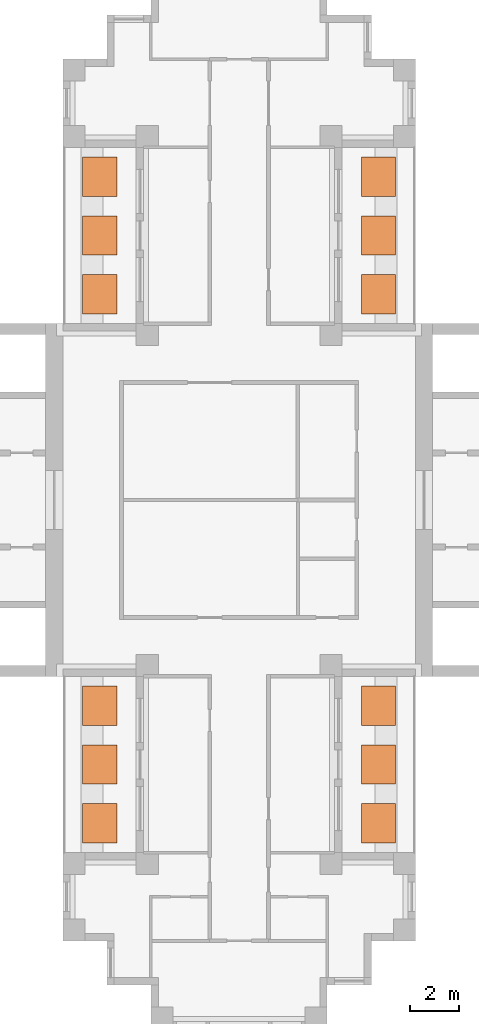
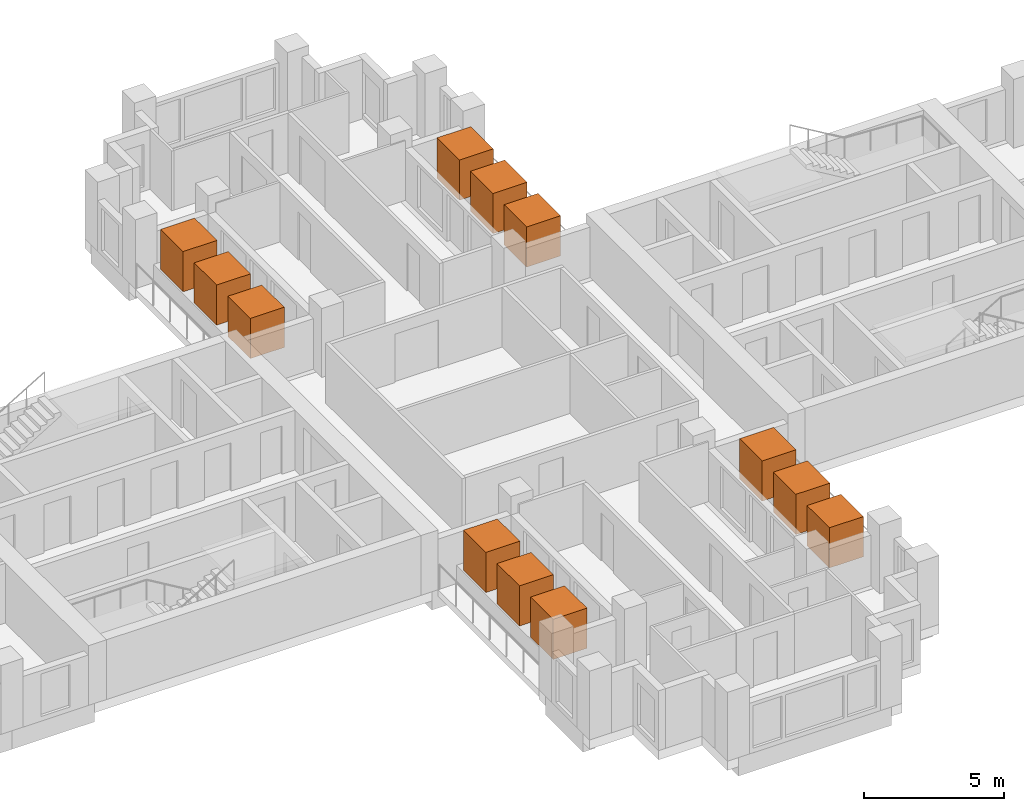
# One storey, part 12 of 12: 12 geographic elements.
"""IFC4 building model written with IfcOpenShell, lengths in metres."""

import ifcopenshell
import ifcopenshell.guid

model = None  # the IFC model being written
_history = None  # IfcOwnerHistory: only IFC2X3 demands one
_inside = {}  # id of a spatial element -> (the spatial element, [elements in it])
_under = {}  # id of a project, library or spatial element -> (it, [spatial elements below it])
_declared = {}  # id of a project -> (the project, [libraries it declares])
_typed = {}  # id of a type object -> (the type object, [elements of that type])
_made_of = {}  # id of a material, layer set ... -> (it, [elements and type objects made of it])


def new_model(schema):
    """Start an empty IFC model of exactly this schema.

    Asked for "IFC4X3", IfcOpenShell would pick the latest addendum, in which some entities
    have other attributes; the version numbers below select the first issue.
    IFC2X3 requires an IfcOwnerHistory on every rooted entity: one is made here for all.
    """
    global model, _history
    if schema == "IFC4X3":
        model = ifcopenshell.file(schema_version=(4, 3, 0, 0))
    else:
        model = ifcopenshell.file(schema=schema)
    _inside.clear()
    _under.clear()
    _declared.clear()
    _typed.clear()
    _made_of.clear()
    _history = None
    if model.schema == "IFC2X3":
        org = make("IfcOrganization", Name="unknown")
        user = make(
            "IfcPersonAndOrganization",
            ThePerson=make("IfcPerson", FamilyName="unknown"),
            TheOrganization=org,
        )
        app = make(
            "IfcApplication",
            ApplicationDeveloper=org,
            Version="unknown",
            ApplicationFullName="unknown",
            ApplicationIdentifier="unknown",
        )
        _history = make(
            "IfcOwnerHistory",
            OwningUser=user,
            OwningApplication=app,
            ChangeAction="ADDED",
            CreationDate=0,
        )
    return model


def make(cls, **values):
    """One entity of the class cls with the attributes given. An attribute that is None is left unset."""
    return model.create_entity(
        cls, **{name: value for name, value in values.items() if value is not None}
    )


def rooted(cls, **values):
    """An entity with a GlobalId (a new one), such as an element, a storey or a relation."""
    return make(cls, GlobalId=ifcopenshell.guid.new(), OwnerHistory=_history, **values)


def si_unit(unit_type, name, prefix=None):
    """IfcSIUnit, for example si_unit("LENGTHUNIT", "METRE", prefix="MILLI")."""
    return make("IfcSIUnit", UnitType=unit_type, Prefix=prefix, Name=name)


def assignment(units):
    """IfcUnitAssignment: the units of a project."""
    return None if units is None else make("IfcUnitAssignment", Units=units)


def point(xyz):
    """IfcCartesianPoint."""
    return None if xyz is None else make("IfcCartesianPoint", Coordinates=xyz)


def direction(xyz):
    """IfcDirection."""
    return None if xyz is None else make("IfcDirection", DirectionRatios=xyz)


def frame(location, z_axis=None, x_axis=None):
    """IfcAxis2Placement3D, a coordinate frame: its origin and axes. An axis left out is left unset."""
    return make(
        "IfcAxis2Placement3D",
        Location=point(location),
        Axis=direction(z_axis),
        RefDirection=direction(x_axis),
    )


def frame_2d(location, x_axis=None):
    """IfcAxis2Placement2D, a coordinate frame in the plane: its origin and x axis."""
    return make(
        "IfcAxis2Placement2D", Location=point(location), RefDirection=direction(x_axis)
    )


def origin():
    """The frame at (0, 0, 0) with its axes left unset."""
    return frame((0.0, 0.0, 0.0))


def origin_2d():
    """The frame at (0, 0) in the plane with its x axis left unset."""
    return frame_2d((0.0, 0.0))


def place(relative_to, where):
    """IfcLocalPlacement: puts the frame where relative to a parent placement (None: the world)."""
    return make(
        "IfcLocalPlacement", PlacementRelTo=relative_to, RelativePlacement=where
    )


def context(
    kind, dimensions, precision=None, world=None, true_north=None, identifier=None
):
    """IfcGeometricRepresentationContext, for example the 3D "Model" context."""
    return make(
        "IfcGeometricRepresentationContext",
        ContextIdentifier=identifier,
        ContextType=kind,
        CoordinateSpaceDimension=dimensions,
        Precision=precision,
        WorldCoordinateSystem=world,
        TrueNorth=true_north,
    )


def subcontext(parent, identifier, kind, view, scale=None):
    """IfcGeometricRepresentationSubContext, for example "Body" below "Model"."""
    return make(
        "IfcGeometricRepresentationSubContext",
        ContextIdentifier=identifier,
        ContextType=kind,
        ParentContext=parent,
        TargetScale=scale,
        TargetView=view,
    )


def project(units=None, contexts=None):
    """IfcProject with its units and contexts."""
    return rooted(
        "IfcProject",
        Name="project",
        RepresentationContexts=contexts,
        UnitsInContext=assignment(units),
    )


def spatial(cls, under=None, at=None, **own):
    """A site, building, storey or space (cls), placed at a placement, below another one or the project."""
    s = rooted(cls, ObjectPlacement=at, **own)
    if under is not None:
        _under.setdefault(under.id(), (under, []))[1].append(s)
    return s


def profile(cls, at=None, kind="AREA", **sizes):
    """A parametric profile (cls). Its sizes go by their IFC names, for example OverallWidth=200.0."""
    return make(cls, ProfileType=kind, Position=at, **sizes)


def rectangle(**sizes):
    """IfcRectangleProfileDef."""
    return profile("IfcRectangleProfileDef", **sizes)


def extrude(swept, where, along, depth):
    """IfcExtrudedAreaSolid: the profile swept, set in the frame where, extruded along a direction by depth."""
    return make(
        "IfcExtrudedAreaSolid",
        SweptArea=swept,
        Position=where,
        ExtrudedDirection=direction(along),
        Depth=depth,
    )


def shape(context_of_items, identifier, shape_type, items):
    """IfcShapeRepresentation: the items that make up one representation, for example the "Body"."""
    return make(
        "IfcShapeRepresentation",
        ContextOfItems=context_of_items,
        RepresentationIdentifier=identifier,
        RepresentationType=shape_type,
        Items=items,
    )


def material(Name=None, Category=None):
    """IfcMaterial."""
    return make("IfcMaterial", Name=Name, Category=Category)


def made_of(thing, what):
    """Note that an element or type object is made of a material, layer set ...; save() writes the relation."""
    if what is not None:
        _made_of.setdefault(what.id(), (what, []))[1].append(thing)
    return thing


def element(
    cls,
    number,
    at=None,
    inside=None,
    cuts=None,
    type_object=None,
    material=None,
    context=None,
    identifier="Body",
    shape_type=None,
    held_by="IfcProductDefinitionShape",
    body=None,
    shapes=None,
    **own,
):
    """One element of the class cls, such as IfcWall. Its Tag is "e" and its number.

    at: its placement. inside: the storey or other place that contains it. cuts: it is an
    opening in that element (IfcRelVoidsElement). A single representation is given by context,
    identifier, shape_type and body (its items); several are given by shapes. held_by: the class
    of the entity that holds the representations. save() writes the other relations.
    """
    e = rooted(cls, Tag="e%d" % number, ObjectPlacement=at, **own)
    if body is not None:
        shapes = [shape(context, identifier, shape_type, body)]
    if shapes is not None:
        e.Representation = make(held_by, Representations=shapes)
    if inside is not None:
        _inside.setdefault(inside.id(), (inside, []))[1].append(e)
    if cuts is not None:
        rooted(
            "IfcRelVoidsElement", RelatingBuildingElement=cuts, RelatedOpeningElement=e
        )
    if type_object is not None:
        _typed.setdefault(type_object.id(), (type_object, []))[1].append(e)
    return made_of(e, material)


def aggregate(whole, parts):
    """IfcRelAggregates: a whole, such as a stair, and the parts it consists of."""
    return rooted("IfcRelAggregates", RelatingObject=whole, RelatedObjects=parts)


def save(model, path):
    """Write the relations noted so far, then the file.

    IfcRelAggregates (storeys below a building ...), IfcRelContainedInSpatialStructure (elements
    in a storey), IfcRelDefinesByType, IfcRelAssociatesMaterial and IfcRelDeclares: one each for
    every whole, place, type object, material and project.
    """
    for whole, parts in _under.values():
        aggregate(whole, parts)
    for where, things in _inside.values():
        rooted(
            "IfcRelContainedInSpatialStructure",
            RelatedElements=things,
            RelatingStructure=where,
        )
    for kind, things in _typed.values():
        rooted("IfcRelDefinesByType", RelatedObjects=things, RelatingType=kind)
    for what, things in _made_of.values():
        rooted("IfcRelAssociatesMaterial", RelatedObjects=things, RelatingMaterial=what)
    for by, libraries in _declared.values():
        rooted("IfcRelDeclares", RelatingContext=by, RelatedDefinitions=libraries)
    model.write(path)


model = new_model("IFC4")

# Units and contexts
model_context = context("Model", 3, precision=1e-05, world=origin(), true_north=direction((0.0, 1.0)))
body_context = subcontext(model_context, "Body", "Model", "MODEL_VIEW")
ifc_project = project(units=[si_unit("LENGTHUNIT", "METRE"), si_unit("AREAUNIT", "SQUARE_METRE"), si_unit("VOLUMEUNIT", "CUBIC_METRE"), si_unit("PLANEANGLEUNIT", "RADIAN"), si_unit("MASSUNIT", "GRAM", prefix="KILO")], contexts=[model_context])

# Site, building, storey
site_placement = place(None, origin())
site = spatial("IfcSite", under=ifc_project, at=site_placement, CompositionType="ELEMENT")
building_placement = place(site_placement, origin())
building = spatial("IfcBuilding", under=site, at=building_placement, Name="Fustian Cross Tower", CompositionType="ELEMENT")
storey_placement = place(building_placement, frame((0.0, 0.0, 135.300048828125)))
storey = spatial("IfcBuildingStorey", under=building, at=storey_placement, Name="L42", CompositionType="ELEMENT", Elevation=135.300048828125)

# Geographic elements
ifc_material = material(Name="Evergreen foliage")
for number, where, z_axis, x_axis, name in (
    (1, (5.68994140625, 8.39990234375, 0.800048828125), (0.0, 0.0, 1.0), (1.0, 0.0, 0.0), "TREE field maple"),
    (2, (5.68994140625, 10.800048828125, 0.800048828125), (0.0, 0.0, 1.0), (1.0, 0.0, 0.0), "TREE field maple"),
    (3, (5.68994140625, 13.199951171875, 0.800048828125), (0.0, 0.0, 1.0), (1.0, 0.0, 0.0), "TREE field maple"),
    (4, (-5.68994140625, 8.39990234375, 0.800048828125), (0.0, 0.0, 1.0), (1.0, 0.0, 0.0), "TREE field maple"),
    (5, (-5.68994140625, 10.800048828125, 0.800048828125), (0.0, 0.0, 1.0), (1.0, 0.0, 0.0), "TREE field maple"),
    (6, (-5.68994140625, 13.199951171875, 0.800048828125), (0.0, 0.0, 1.0), (1.0, 0.0, 0.0), "TREE field maple"),
    (7, (5.68994140625, -13.199951171875, 0.800048828125), (0.0, 0.0, 1.0), (1.0, 0.0, 0.0), "TREE field maple"),
    (8, (5.68994140625, -10.800048828125, 0.800048828125), (0.0, 0.0, 1.0), (1.0, 0.0, 0.0), "TREE field maple"),
    (9, (5.68994140625, -8.39990234375, 0.800048828125), (0.0, 0.0, 1.0), (1.0, 0.0, 0.0), "TREE field maple"),
    (10, (-5.68994140625, -13.199951171875, 0.800048828125), (0.0, 0.0, 1.0), (1.0, 0.0, 0.0), "TREE field maple"),
    (11, (-5.68994140625, -10.800048828125, 0.800048828125), (0.0, 0.0, 1.0), (1.0, 0.0, 0.0), "TREE field maple"),
    (12, (-5.68994140625, -8.39990234375, 0.800048828125), (0.0, 0.0, 1.0), (1.0, 0.0, 0.0), "TREE field maple"),
):
    element("IfcGeographicElement", number, at=place(storey_placement, frame(where, z_axis=z_axis, x_axis=x_axis)), inside=storey, material=ifc_material, Name=name, ObjectType="VEGETATION", PredefinedType="USERDEFINED", context=body_context, shape_type="SweptSolid", body=[
        extrude(rectangle(XDim=1.39990234375, YDim=1.60009765625, at=origin_2d()), origin(), (0.0, 0.0, 1.0), 1.75),
    ])

save(model, "model.ifc")
